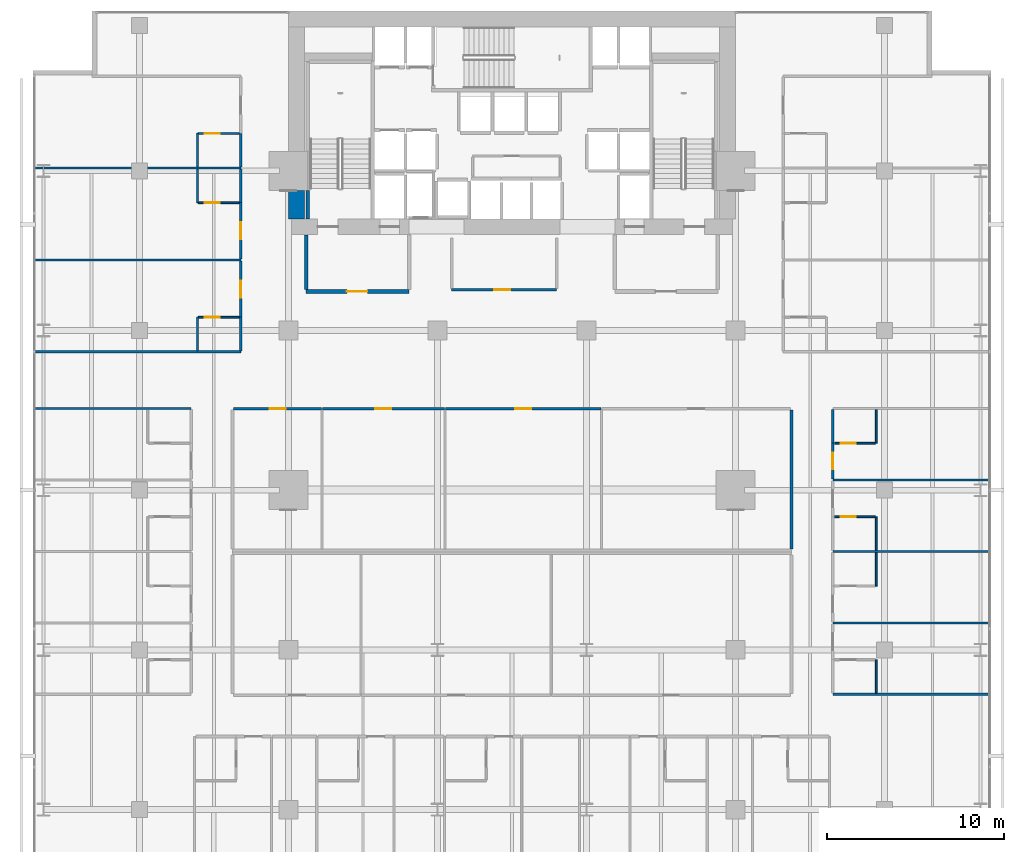
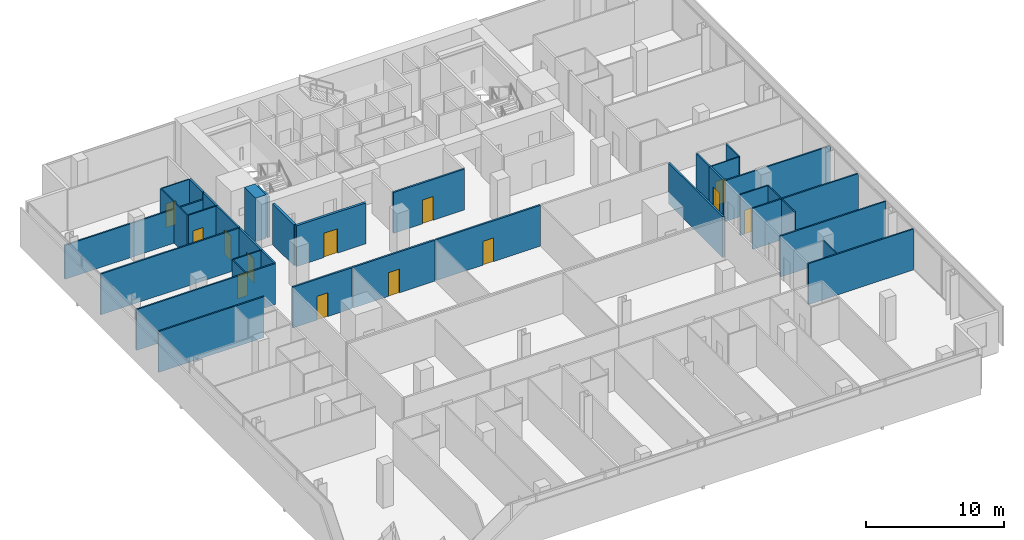
# One storey, part 35 of 40: 36 walls, 13 doors, 13 openings.
"""IFC4 building model written with IfcOpenShell, lengths in metres."""

from ifc_helpers import new_model, si_unit, direction, frame, frame_2d, origin, place, context, subcontext, project, spatial, rectangle, extrude, material, layer, layer_set, type_object, element, fill, save


model = new_model("IFC4")

# Units and contexts
model_context = context("Model", 3, precision=1e-05, world=origin(), true_north=direction((0.0, 1.0)))
body_context = subcontext(model_context, "Body", "Model", "MODEL_VIEW")
ifc_project = project(units=[si_unit("LENGTHUNIT", "METRE"), si_unit("AREAUNIT", "SQUARE_METRE"), si_unit("VOLUMEUNIT", "CUBIC_METRE"), si_unit("PLANEANGLEUNIT", "RADIAN"), si_unit("MASSUNIT", "GRAM", prefix="KILO")], contexts=[model_context])

# Site, building, storey
site_placement = place(None, origin())
site = spatial("IfcSite", under=ifc_project, at=site_placement, CompositionType="ELEMENT")
building_placement = place(site_placement, origin())
building = spatial("IfcBuilding", under=site, at=building_placement, Name="Maruvema Waterfront Hotel and Observation Tower", CompositionType="ELEMENT")
storey_placement = place(building_placement, frame((0.0, 0.0, 77.0)))
storey = spatial("IfcBuildingStorey", under=building, at=storey_placement, Name="L18", CompositionType="ELEMENT", Elevation=77.0)

# Wall, opening, door
ifc_material_1 = material(Name="Twin-stud acoustic gypsum drywall", Category="gypsum")
ifc_layer_1 = layer(ifc_material_1, 0.14990234375, Name="Acoustic Corridor and Suite Demising Wall 150 mm")
ifc_layer_set_1 = layer_set([ifc_layer_1], Name="Twin-stud acoustic gypsum drywall")
wall_type_1 = type_object("IfcWallType", Name="Acoustic Corridor and Suite Demising Wall 150 mm", PredefinedType="PARTITIONING", material=ifc_layer_set_1)
wall_1_placement = place(storey_placement, frame((34.39990234375, 38.300048828125, 0.0), z_axis=(0.0, 0.0, 1.0), x_axis=(1.0, 0.0, 0.0)))
wall_1 = element("IfcWall", 1, at=wall_1_placement, inside=storey, type_object=wall_type_1, Name="L18 Core Apron K0 South 013", PredefinedType="PARTITIONING", context=body_context, shape_type="SweptSolid", body=[
    extrude(rectangle(XDim=5.920166015625, YDim=0.14990234375, at=frame_2d((2.9599609375, 0.0))), origin(), (0.0, 0.0, 1.0), 3.610107421875),
])
opening_1_placement = place(wall_1_placement, frame((2.39990234375, 0.0, 0.0)))
opening_1 = element("IfcOpeningElement", 2, at=opening_1_placement, cuts=wall_1, Name="Opening DR-090", PredefinedType="OPENING", context=body_context, shape_type="SweptSolid", body=[
    extrude(rectangle(XDim=0.89990234375, YDim=2.10009765625, at=frame_2d((0.449951171875, 1.050048828125))), frame((0.0, 0.0849609375, 0.0), z_axis=(0.0, -1.0, 0.0), x_axis=(1.0, 0.0, 0.0)), (0.0, 0.0, 1.0), 0.169921875),
])
ifc_material_2 = material(Name="Solid-core lacquered timber leaf", Category="wood")
door_type_1 = type_object("IfcDoorType", Name="Accessible Toilet and Room Door 900x2100 mm", OperationType="NOTDEFINED", PredefinedType="DOOR", material=ifc_material_2)
door_1_placement = place(opening_1_placement, frame((0.89990234375, 0.0, 0.0), z_axis=(0.0, 0.0, 1.0), x_axis=(-1.0, 0.0, 0.0)))
door_1 = element("IfcDoor", 3, at=door_1_placement, inside=storey, type_object=door_type_1, Name="L18 Core Valet Room Door", OperationType="SINGLE_SWING_LEFT", OverallHeight=2.10009765625, OverallWidth=0.89990234375, PredefinedType="DOOR", context=body_context, shape_type="SweptSolid", body=[
    extrude(rectangle(XDim=0.89990234375, YDim=2.10009765625, at=frame_2d((0.449951171875, 1.050048828125))), frame((0.0, 0.02490234375, 0.0), z_axis=(0.0, -1.0, 0.0), x_axis=(1.0, 0.0, 0.0)), (0.0, 0.0, 1.0), 0.050048828125),
])
fill(opening_1, door_1)

# Wall
wall_2_placement = place(storey_placement, frame((53.550048828125, 23.679931640625, 0.0), z_axis=(0.0, 0.0, 1.0), x_axis=(0.0, 1.0, 0.0)))
element("IfcWall", 4, at=wall_2_placement, inside=storey, type_object=wall_type_1, Name="L18 L18-INTN East Wall 018", PredefinedType="PARTITIONING", context=body_context, shape_type="SweptSolid", body=[
    extrude(rectangle(XDim=7.840087890625, YDim=0.14990234375, at=frame_2d((3.919921875, 0.0))), origin(), (0.0, 0.0, 1.0), 3.610107421875),
])

# Wall, opening, door
wall_3_placement = place(storey_placement, frame((22.110107421875, 31.60009765625, 0.0), z_axis=(0.0, 0.0, 1.0), x_axis=(1.0, 0.0, 0.0)))
wall_3 = element("IfcWall", 5, at=wall_3_placement, inside=storey, type_object=wall_type_1, Name="L18 L18-INTN Front 1 019", PredefinedType="PARTITIONING", context=body_context, shape_type="SweptSolid", body=[
    extrude(rectangle(XDim=4.949951171875, YDim=0.14990234375, at=frame_2d((2.47509765625, 0.0))), origin(), (0.0, 0.0, 1.0), 3.610107421875),
])
opening_2_placement = place(wall_3_placement, frame((2.02490234375, 0.0, 0.0)))
opening_2 = element("IfcOpeningElement", 6, at=opening_2_placement, cuts=wall_3, Name="Opening DR-090", PredefinedType="OPENING", context=body_context, shape_type="SweptSolid", body=[
    extrude(rectangle(XDim=0.89990234375, YDim=2.10009765625, at=frame_2d((0.449951171875, 1.050048828125))), frame((0.0, 0.0849609375, 0.0), z_axis=(0.0, -1.0, 0.0), x_axis=(1.0, 0.0, 0.0)), (0.0, 0.0, 1.0), 0.169921875),
])
door_2_placement = place(opening_2_placement, origin())
door_2 = element("IfcDoor", 7, at=door_2_placement, inside=storey, type_object=door_type_1, Name="L18 Coworking Office Door", OperationType="SINGLE_SWING_RIGHT", OverallHeight=2.10009765625, OverallWidth=0.89990234375, PredefinedType="DOOR", context=body_context, shape_type="SweptSolid", body=[
    extrude(rectangle(XDim=0.89990234375, YDim=2.10009765625, at=frame_2d((0.449951171875, 1.050048828125))), frame((0.0, 0.02490234375, 0.0), z_axis=(0.0, -1.0, 0.0), x_axis=(1.0, 0.0, 0.0)), (0.0, 0.0, 1.0), 0.050048828125),
])
fill(opening_2, door_2)

wall_4_placement = place(storey_placement, frame((27.1201171875, 31.60009765625, 0.0), z_axis=(0.0, 0.0, 1.0), x_axis=(1.0, 0.0, 0.0)))
wall_4 = element("IfcWall", 8, at=wall_4_placement, inside=storey, type_object=wall_type_1, Name="L18 L18-INTN Front 2 021", PredefinedType="PARTITIONING", context=body_context, shape_type="SweptSolid", body=[
    extrude(rectangle(XDim=6.869873046875, YDim=0.14990234375, at=frame_2d((3.43505859375, 0.0))), origin(), (0.0, 0.0, 1.0), 3.610107421875),
])
opening_3_placement = place(wall_4_placement, frame((2.985107421875, 0.0, 0.0)))
opening_3 = element("IfcOpeningElement", 9, at=opening_3_placement, cuts=wall_4, Name="Opening DR-090", PredefinedType="OPENING", context=body_context, shape_type="SweptSolid", body=[
    extrude(rectangle(XDim=0.89990234375, YDim=2.10009765625, at=frame_2d((0.449951171875, 1.050048828125))), frame((0.0, 0.0849609375, 0.0), z_axis=(0.0, -1.0, 0.0), x_axis=(1.0, 0.0, 0.0)), (0.0, 0.0, 1.0), 0.169921875),
])
door_3_placement = place(opening_3_placement, origin())
door_3 = element("IfcDoor", 10, at=door_3_placement, inside=storey, type_object=door_type_1, Name="L18 Meeting Room 1 Door", OperationType="SINGLE_SWING_LEFT", OverallHeight=2.10009765625, OverallWidth=0.89990234375, PredefinedType="DOOR", context=body_context, shape_type="SweptSolid", body=[
    extrude(rectangle(XDim=0.89990234375, YDim=2.10009765625, at=frame_2d((0.449951171875, 1.050048828125))), frame((0.0, 0.02490234375, 0.0), z_axis=(0.0, -1.0, 0.0), x_axis=(1.0, 0.0, 0.0)), (0.0, 0.0, 1.0), 0.050048828125),
])
fill(opening_3, door_3)

wall_5_placement = place(storey_placement, frame((34.050048828125, 31.60009765625, 0.0), z_axis=(0.0, 0.0, 1.0), x_axis=(1.0, 0.0, 0.0)))
wall_5 = element("IfcWall", 11, at=wall_5_placement, inside=storey, type_object=wall_type_1, Name="L18 L18-INTN Front 3 023", PredefinedType="PARTITIONING", context=body_context, shape_type="SweptSolid", body=[
    extrude(rectangle(XDim=8.760009765625, YDim=0.14990234375, at=frame_2d((4.3798828125, 0.0))), origin(), (0.0, 0.0, 1.0), 3.610107421875),
])
opening_4_placement = place(wall_5_placement, frame((3.929931640625, 0.0, 0.0)))
opening_4 = element("IfcOpeningElement", 12, at=opening_4_placement, cuts=wall_5, Name="Opening DR-090", PredefinedType="OPENING", context=body_context, shape_type="SweptSolid", body=[
    extrude(rectangle(XDim=0.89990234375, YDim=2.10009765625, at=frame_2d((0.449951171875, 1.050048828125))), frame((0.0, 0.0849609375, 0.0), z_axis=(0.0, -1.0, 0.0), x_axis=(1.0, 0.0, 0.0)), (0.0, 0.0, 1.0), 0.169921875),
])
door_4_placement = place(opening_4_placement, origin())
door_4 = element("IfcDoor", 13, at=door_4_placement, inside=storey, type_object=door_type_1, Name="L18 Meeting Room 2 Door", OperationType="SINGLE_SWING_RIGHT", OverallHeight=2.10009765625, OverallWidth=0.89990234375, PredefinedType="DOOR", context=body_context, shape_type="SweptSolid", body=[
    extrude(rectangle(XDim=0.89990234375, YDim=2.10009765625, at=frame_2d((0.449951171875, 1.050048828125))), frame((0.0, 0.02490234375, 0.0), z_axis=(0.0, -1.0, 0.0), x_axis=(1.0, 0.0, 0.0)), (0.0, 0.0, 1.0), 0.050048828125),
])
fill(opening_4, door_4)

wall_6_placement = place(storey_placement, frame((55.8798828125, 27.639892578125, 0.0), z_axis=(0.0, 0.0, 1.0), x_axis=(0.0, 1.0, 0.0)))
wall_6 = element("IfcWall", 14, at=wall_6_placement, inside=storey, type_object=wall_type_1, Name="L18 Room L18-E4 Corridor Wall 108", PredefinedType="PARTITIONING", context=body_context, shape_type="SweptSolid", body=[
    extrude(rectangle(XDim=2.010009765625, YDim=0.14990234375, at=frame_2d((1.0048828125, 0.0))), origin(), (0.0, 0.0, 1.0), 3.610107421875),
])
opening_5_placement = place(wall_6_placement, frame((0.530029296875, 0.0, 0.0)))
opening_5 = element("IfcOpeningElement", 15, at=opening_5_placement, cuts=wall_6, Name="Opening DR-095", PredefinedType="OPENING", context=body_context, shape_type="SweptSolid", body=[
    extrude(rectangle(XDim=0.949951171875, YDim=2.14990234375, at=frame_2d((0.47509765625, 1.074951171875))), frame((0.0, 0.0849609375, 0.0), z_axis=(0.0, -1.0, 0.0), x_axis=(1.0, 0.0, 0.0)), (0.0, 0.0, 1.0), 0.169921875),
])
ifc_material_3 = material(Name="Acoustic solid-core hardwood timber leaf", Category="wood")
door_type_2 = type_object("IfcDoorType", Name="Guestroom Entrance Fire Door 950x2150 mm", OperationType="NOTDEFINED", PredefinedType="DOOR", material=ifc_material_3)
door_5_placement = place(opening_5_placement, frame((0.949951171875, 0.0, 0.0), z_axis=(0.0, 0.0, 1.0), x_axis=(-1.0, 0.0, 0.0)))
door_5 = element("IfcDoor", 16, at=door_5_placement, inside=storey, type_object=door_type_2, Name="L18 Room L18-E4 Entrance Door", OperationType="SINGLE_SWING_LEFT", OverallHeight=2.14990234375, OverallWidth=0.949951171875, PredefinedType="DOOR", context=body_context, shape_type="SweptSolid", body=[
    extrude(rectangle(XDim=0.949951171875, YDim=2.14990234375, at=frame_2d((0.47509765625, 1.074951171875))), frame((0.0, 0.02490234375, 0.0), z_axis=(0.0, -1.0, 0.0), x_axis=(1.0, 0.0, 0.0)), (0.0, 0.0, 1.0), 0.050048828125),
])
fill(opening_5, door_5)

# Walls
wall_7_placement = place(storey_placement, frame((55.8798828125, 29.64990234375, 0.0), z_axis=(0.0, 0.0, 1.0), x_axis=(0.0, 1.0, 0.0)))
element("IfcWall", 17, at=wall_7_placement, inside=storey, type_object=wall_type_1, Name="L18 Bath L18-E4 Wall 109", PredefinedType="PARTITIONING", context=body_context, shape_type="SweptSolid", body=[
    extrude(rectangle(XDim=1.89013671875, YDim=0.14990234375, at=frame_2d((0.945068359375, 0.0))), origin(), (0.0, 0.0, 1.0), 3.610107421875),
])
wall_8_placement = place(storey_placement, frame((22.52001953125, 34.860107421875, 0.0), z_axis=(0.0, 0.0, 1.0), x_axis=(0.0, 1.0, 0.0)))
element("IfcWall", 18, at=wall_8_placement, inside=storey, type_object=wall_type_1, Name="L18 Bath L18-NW1 Wall 116", PredefinedType="PARTITIONING", context=body_context, shape_type="SweptSolid", body=[
    extrude(rectangle(XDim=1.889892578125, YDim=0.14990234375, at=frame_2d((0.94482421875, 0.0))), origin(), (0.0, 0.0, 1.0), 3.610107421875),
])

# Wall, opening, door
wall_9_placement = place(storey_placement, frame((22.52001953125, 36.75, 0.0), z_axis=(0.0, 0.0, 1.0), x_axis=(0.0, 1.0, 0.0)))
wall_9 = element("IfcWall", 19, at=wall_9_placement, inside=storey, type_object=wall_type_1, Name="L18 Room L18-NW1 Corridor Wall 117", PredefinedType="PARTITIONING", context=body_context, shape_type="SweptSolid", body=[
    extrude(rectangle(XDim=3.169189453125, YDim=0.14990234375, at=frame_2d((1.58447265625, 0.0))), origin(), (0.0, 0.0, 1.0), 3.610107421875),
])
opening_6_placement = place(wall_9_placement, frame((1.109619140625, 0.0, 0.0)))
opening_6 = element("IfcOpeningElement", 20, at=opening_6_placement, cuts=wall_9, Name="Opening DR-095", PredefinedType="OPENING", context=body_context, shape_type="SweptSolid", body=[
    extrude(rectangle(XDim=0.949951171875, YDim=2.14990234375, at=frame_2d((0.47509765625, 1.074951171875))), frame((0.0, 0.0849609375, 0.0), z_axis=(0.0, -1.0, 0.0), x_axis=(1.0, 0.0, 0.0)), (0.0, 0.0, 1.0), 0.169921875),
])
door_6_placement = place(opening_6_placement, origin())
door_6 = element("IfcDoor", 21, at=door_6_placement, inside=storey, type_object=door_type_2, Name="L18 Room L18-NW1 Entrance Door", OperationType="SINGLE_SWING_LEFT", OverallHeight=2.14990234375, OverallWidth=0.949951171875, PredefinedType="DOOR", context=body_context, shape_type="SweptSolid", body=[
    extrude(rectangle(XDim=0.949951171875, YDim=2.14990234375, at=frame_2d((0.47509765625, 1.074951171875))), frame((0.0, 0.02490234375, 0.0), z_axis=(0.0, -1.0, 0.0), x_axis=(1.0, 0.0, 0.0)), (0.0, 0.0, 1.0), 0.050048828125),
])
fill(opening_6, door_6)

wall_10_placement = place(storey_placement, frame((22.52001953125, 40.039306640625, 0.0), z_axis=(0.0, 0.0, 1.0), x_axis=(0.0, 1.0, 0.0)))
wall_10 = element("IfcWall", 22, at=wall_10_placement, inside=storey, type_object=wall_type_1, Name="L18 Room L18-NW2 Corridor Wall 126", PredefinedType="PARTITIONING", context=body_context, shape_type="SweptSolid", body=[
    extrude(rectangle(XDim=3.1689453125, YDim=0.14990234375, at=frame_2d((1.58447265625, 0.0))), origin(), (0.0, 0.0, 1.0), 3.610107421875),
])
opening_7_placement = place(wall_10_placement, frame((1.109619140625, 0.0, 0.0)))
opening_7 = element("IfcOpeningElement", 23, at=opening_7_placement, cuts=wall_10, Name="Opening DR-095", PredefinedType="OPENING", context=body_context, shape_type="SweptSolid", body=[
    extrude(rectangle(XDim=0.949951171875, YDim=2.14990234375, at=frame_2d((0.47509765625, 1.074951171875))), frame((0.0, 0.0849609375, 0.0), z_axis=(0.0, -1.0, 0.0), x_axis=(1.0, 0.0, 0.0)), (0.0, 0.0, 1.0), 0.169921875),
])
door_7_placement = place(opening_7_placement, origin())
door_7 = element("IfcDoor", 24, at=door_7_placement, inside=storey, type_object=door_type_2, Name="L18 Room L18-NW2 Entrance Door", OperationType="SINGLE_SWING_LEFT", OverallHeight=2.14990234375, OverallWidth=0.949951171875, PredefinedType="DOOR", context=body_context, shape_type="SweptSolid", body=[
    extrude(rectangle(XDim=0.949951171875, YDim=2.14990234375, at=frame_2d((0.47509765625, 1.074951171875))), frame((0.0, 0.02490234375, 0.0), z_axis=(0.0, -1.0, 0.0), x_axis=(1.0, 0.0, 0.0)), (0.0, 0.0, 1.0), 0.050048828125),
])
fill(opening_7, door_7)

# Walls
for number, where, z_axis, x_axis, name in (
    (25, (22.52001953125, 43.208251953125, 0.0), (0.0, 0.0, 1.0), (0.0, 1.0, 0.0), "L18 Bath L18-NW2 Wall 127"),
    (26, (22.52001953125, 45.21826171875, 0.0), (0.0, 0.0, 1.0), (0.0, 1.0, 0.0), "L18 Bath L18-NW3 Wall 136"),
):
    element("IfcWall", number, at=place(storey_placement, frame(where, z_axis=z_axis, x_axis=x_axis)), inside=storey, type_object=wall_type_1, Name=name, PredefinedType="PARTITIONING", context=body_context, shape_type="SweptSolid", body=[
        extrude(rectangle(XDim=1.89013671875, YDim=0.14990234375, at=frame_2d((0.945068359375, 0.0))), origin(), (0.0, 0.0, 1.0), 3.610107421875),
    ])
ifc_material_4 = material(Name="Precast concrete C45/55", Category="concrete")
ifc_layer_2 = layer(ifc_material_4, 0.199951171875, Name="Core Shaft and Stairwell Enclosure Wall 200 mm")
ifc_layer_set_2 = layer_set([ifc_layer_2], Name="Precast concrete C45/55")
wall_type_2 = type_object("IfcWallType", Name="Core Shaft and Stairwell Enclosure Wall 200 mm", PredefinedType="SOLIDWALL", material=ifc_layer_set_2)
wall_11_placement = place(storey_placement, frame((26.300048828125, 42.300048828125, 0.0), z_axis=(0.0, 0.0, 1.0), x_axis=(0.0, 1.0, 0.0)))
element("IfcWall", 27, at=wall_11_placement, inside=storey, type_object=wall_type_2, Name="L18 Stairwell ST-01 Shaft Lining Wall", PredefinedType="SOLIDWALL", context=body_context, shape_type="SweptSolid", body=[
    extrude(rectangle(XDim=1.579833984375, YDim=0.199951171875, at=frame_2d((0.7900390625, 0.0))), origin(), (0.0, 0.0, 1.0), 3.610107421875),
])
ifc_material_5 = material(Name="Concrete C80/95", Category="concrete")
ifc_layer_3 = layer(ifc_material_5, 0.89990234375, Name="Core Shear Wall 900 mm")
ifc_layer_set_3 = layer_set([ifc_layer_3], Name="Concrete C80/95")
wall_type_3 = type_object("IfcWallType", Name="Core Shear Wall 900 mm", PredefinedType="SHEAR", material=ifc_layer_set_3)
wall_12_placement = place(storey_placement, frame((25.64990234375, 42.300048828125, 0.0), z_axis=(0.0, 0.0, 1.0), x_axis=(0.0, 1.0, 0.0)))
element("IfcWall", 28, at=wall_12_placement, inside=storey, type_object=wall_type_3, Name="L18 West-South Core Shear Wall", PredefinedType="SHEAR", context=body_context, shape_type="SweptSolid", body=[
    extrude(rectangle(XDim=1.599853515625, YDim=0.89990234375, at=frame_2d((0.7998046875, 0.0))), origin(), (0.0, 0.0, 1.0), 3.85009765625),
])
ifc_material_6 = material(Name="Moisture-resistant cement-board drywall", Category="gypsum")
ifc_layer_4 = layer(ifc_material_6, 0.10009765625, Name="En-Suite Moisture-Resistant Partition 100 mm")
ifc_layer_set_4 = layer_set([ifc_layer_4], Name="Moisture-resistant cement-board drywall")
wall_type_4 = type_object("IfcWallType", Name="En-Suite Moisture-Resistant Partition 100 mm", PredefinedType="PARTITIONING", material=ifc_layer_set_4)
for number, where, z_axis, x_axis, name in (
    (29, (58.330078125, 15.56005859375, 0.0), (0.0, 0.0, 1.0), (0.0, 1.0, 0.0), "L18 En-Suite L18-E1 E 080"),
    (30, (58.330078125, 21.60009765625, 0.0), (0.0, 0.0, 1.0), (0.0, 1.0, 0.0), "L18 En-Suite L18-E2 E 090"),
    (31, (58.330078125, 23.610107421875, 0.0), (0.0, 0.0, 1.0), (0.0, 1.0, 0.0), "L18 En-Suite L18-E3 E 100"),
):
    element("IfcWall", number, at=place(storey_placement, frame(where, z_axis=z_axis, x_axis=x_axis)), inside=storey, type_object=wall_type_4, Name=name, PredefinedType="PARTITIONING", context=body_context, shape_type="SweptSolid", body=[
        extrude(rectangle(XDim=1.889892578125, YDim=0.10009765625, at=frame_2d((0.94482421875, 0.0))), origin(), (0.0, 0.0, 1.0), 3.610107421875),
    ])

# Wall, opening, door
wall_13_placement = place(storey_placement, frame((55.97998046875, 25.5, 0.0), z_axis=(0.0, 0.0, 1.0), x_axis=(1.0, 0.0, 0.0)))
wall_13 = element("IfcWall", 32, at=wall_13_placement, inside=storey, type_object=wall_type_4, Name="L18 En-Suite L18-E3 N 101", PredefinedType="PARTITIONING", context=body_context, shape_type="SweptSolid", body=[
    extrude(rectangle(XDim=2.300048828125, YDim=0.10009765625, at=frame_2d((1.14990234375, 0.0))), origin(), (0.0, 0.0, 1.0), 3.610107421875),
])
opening_8_placement = place(wall_13_placement, frame((0.35009765625, 0.0, 0.0)))
opening_8 = element("IfcOpeningElement", 33, at=opening_8_placement, cuts=wall_13, Name="Opening DR-085", PredefinedType="OPENING", context=body_context, shape_type="SweptSolid", body=[
    extrude(rectangle(XDim=0.85009765625, YDim=2.10009765625, at=frame_2d((0.425048828125, 1.050048828125))), frame((0.0, 0.06005859375, 0.0), z_axis=(0.0, -1.0, 0.0), x_axis=(1.0, 0.0, 0.0)), (0.0, 0.0, 1.0), 0.1201171875),
])
ifc_material_7 = material(Name="Moisture-resistant solid timber leaf", Category="wood")
door_type_3 = type_object("IfcDoorType", Name="En-Suite Bathroom Door 850x2100 mm", OperationType="NOTDEFINED", PredefinedType="DOOR", material=ifc_material_7)
door_8_placement = place(opening_8_placement, origin())
door_8 = element("IfcDoor", 34, at=door_8_placement, inside=storey, type_object=door_type_3, Name="L18 En-Suite L18-E3 Door", OperationType="SINGLE_SWING_RIGHT", OverallHeight=2.10009765625, OverallWidth=0.85009765625, PredefinedType="DOOR", context=body_context, shape_type="SweptSolid", body=[
    extrude(rectangle(XDim=0.85009765625, YDim=2.10009765625, at=frame_2d((0.425048828125, 1.050048828125))), frame((0.0, 0.02490234375, 0.0), z_axis=(0.0, -1.0, 0.0), x_axis=(1.0, 0.0, 0.0)), (0.0, 0.0, 1.0), 0.050048828125),
])
fill(opening_8, door_8)

# Wall
wall_14_placement = place(storey_placement, frame((58.330078125, 29.64990234375, 0.0), z_axis=(0.0, 0.0, 1.0), x_axis=(0.0, 1.0, 0.0)))
element("IfcWall", 35, at=wall_14_placement, inside=storey, type_object=wall_type_4, Name="L18 En-Suite L18-E4 E 110", PredefinedType="PARTITIONING", context=body_context, shape_type="SweptSolid", body=[
    extrude(rectangle(XDim=1.89013671875, YDim=0.10009765625, at=frame_2d((0.945068359375, 0.0))), origin(), (0.0, 0.0, 1.0), 3.610107421875),
])

# Wall, opening, door
wall_15_placement = place(storey_placement, frame((55.97998046875, 29.64990234375, 0.0), z_axis=(0.0, 0.0, 1.0), x_axis=(1.0, 0.0, 0.0)))
wall_15 = element("IfcWall", 36, at=wall_15_placement, inside=storey, type_object=wall_type_4, Name="L18 En-Suite L18-E4 S 111", PredefinedType="PARTITIONING", context=body_context, shape_type="SweptSolid", body=[
    extrude(rectangle(XDim=2.300048828125, YDim=0.10009765625, at=frame_2d((1.14990234375, 0.0))), origin(), (0.0, 0.0, 1.0), 3.610107421875),
])
opening_9_placement = place(wall_15_placement, frame((0.35009765625, 0.0, 0.0)))
opening_9 = element("IfcOpeningElement", 37, at=opening_9_placement, cuts=wall_15, Name="Opening DR-085", PredefinedType="OPENING", context=body_context, shape_type="SweptSolid", body=[
    extrude(rectangle(XDim=0.85009765625, YDim=2.10009765625, at=frame_2d((0.425048828125, 1.050048828125))), frame((0.0, 0.06005859375, 0.0), z_axis=(0.0, -1.0, 0.0), x_axis=(1.0, 0.0, 0.0)), (0.0, 0.0, 1.0), 0.1201171875),
])
door_9_placement = place(opening_9_placement, frame((0.85009765625, 0.0, 0.0), z_axis=(0.0, 0.0, 1.0), x_axis=(-1.0, 0.0, 0.0)))
door_9 = element("IfcDoor", 38, at=door_9_placement, inside=storey, type_object=door_type_3, Name="L18 En-Suite L18-E4 Door", OperationType="SINGLE_SWING_RIGHT", OverallHeight=2.10009765625, OverallWidth=0.85009765625, PredefinedType="DOOR", context=body_context, shape_type="SweptSolid", body=[
    extrude(rectangle(XDim=0.85009765625, YDim=2.10009765625, at=frame_2d((0.425048828125, 1.050048828125))), frame((0.0, 0.02490234375, 0.0), z_axis=(0.0, -1.0, 0.0), x_axis=(1.0, 0.0, 0.0)), (0.0, 0.0, 1.0), 0.050048828125),
])
fill(opening_9, door_9)

# Wall
wall_16_placement = place(storey_placement, frame((20.070068359375, 34.860107421875, 0.0), z_axis=(0.0, 0.0, 1.0), x_axis=(0.0, 1.0, 0.0)))
element("IfcWall", 39, at=wall_16_placement, inside=storey, type_object=wall_type_4, Name="L18 En-Suite L18-NW1 W 118", PredefinedType="PARTITIONING", context=body_context, shape_type="SweptSolid", body=[
    extrude(rectangle(XDim=1.889892578125, YDim=0.10009765625, at=frame_2d((0.94482421875, 0.0))), origin(), (0.0, 0.0, 1.0), 3.610107421875),
])

# Wall, opening, door
wall_17_placement = place(storey_placement, frame((20.1201171875, 36.75, 0.0), z_axis=(0.0, 0.0, 1.0), x_axis=(1.0, 0.0, 0.0)))
wall_17 = element("IfcWall", 40, at=wall_17_placement, inside=storey, type_object=wall_type_4, Name="L18 En-Suite L18-NW1 N 119", PredefinedType="PARTITIONING", context=body_context, shape_type="SweptSolid", body=[
    extrude(rectangle(XDim=2.2998046875, YDim=0.10009765625, at=frame_2d((1.14990234375, 0.0))), origin(), (0.0, 0.0, 1.0), 3.610107421875),
])
opening_10_placement = place(wall_17_placement, frame((0.35009765625, 0.0, 0.0)))
opening_10 = element("IfcOpeningElement", 41, at=opening_10_placement, cuts=wall_17, Name="Opening DR-085", PredefinedType="OPENING", context=body_context, shape_type="SweptSolid", body=[
    extrude(rectangle(XDim=0.85009765625, YDim=2.10009765625, at=frame_2d((0.425048828125, 1.050048828125))), frame((0.0, 0.06005859375, 0.0), z_axis=(0.0, -1.0, 0.0), x_axis=(1.0, 0.0, 0.0)), (0.0, 0.0, 1.0), 0.1201171875),
])
door_10_placement = place(opening_10_placement, origin())
door_10 = element("IfcDoor", 42, at=door_10_placement, inside=storey, type_object=door_type_3, Name="L18 En-Suite L18-NW1 Door", OperationType="SINGLE_SWING_RIGHT", OverallHeight=2.10009765625, OverallWidth=0.85009765625, PredefinedType="DOOR", context=body_context, shape_type="SweptSolid", body=[
    extrude(rectangle(XDim=0.85009765625, YDim=2.10009765625, at=frame_2d((0.425048828125, 1.050048828125))), frame((0.0, 0.02490234375, 0.0), z_axis=(0.0, -1.0, 0.0), x_axis=(1.0, 0.0, 0.0)), (0.0, 0.0, 1.0), 0.050048828125),
])
fill(opening_10, door_10)

# Wall
wall_18_placement = place(storey_placement, frame((20.070068359375, 43.208251953125, 0.0), z_axis=(0.0, 0.0, 1.0), x_axis=(0.0, 1.0, 0.0)))
element("IfcWall", 43, at=wall_18_placement, inside=storey, type_object=wall_type_4, Name="L18 En-Suite L18-NW2 W 128", PredefinedType="PARTITIONING", context=body_context, shape_type="SweptSolid", body=[
    extrude(rectangle(XDim=1.89013671875, YDim=0.10009765625, at=frame_2d((0.945068359375, 0.0))), origin(), (0.0, 0.0, 1.0), 3.610107421875),
])

# Wall, opening, door
wall_19_placement = place(storey_placement, frame((20.1201171875, 43.208251953125, 0.0), z_axis=(0.0, 0.0, 1.0), x_axis=(1.0, 0.0, 0.0)))
wall_19 = element("IfcWall", 44, at=wall_19_placement, inside=storey, type_object=wall_type_4, Name="L18 En-Suite L18-NW2 S 129", PredefinedType="PARTITIONING", context=body_context, shape_type="SweptSolid", body=[
    extrude(rectangle(XDim=2.2998046875, YDim=0.10009765625, at=frame_2d((1.14990234375, 0.0))), origin(), (0.0, 0.0, 1.0), 3.610107421875),
])
opening_11_placement = place(wall_19_placement, frame((0.35009765625, 0.0, 0.0)))
opening_11 = element("IfcOpeningElement", 45, at=opening_11_placement, cuts=wall_19, Name="Opening DR-085", PredefinedType="OPENING", context=body_context, shape_type="SweptSolid", body=[
    extrude(rectangle(XDim=0.85009765625, YDim=2.10009765625, at=frame_2d((0.425048828125, 1.050048828125))), frame((0.0, 0.06005859375, 0.0), z_axis=(0.0, -1.0, 0.0), x_axis=(1.0, 0.0, 0.0)), (0.0, 0.0, 1.0), 0.1201171875),
])
door_11_placement = place(opening_11_placement, frame((0.85009765625, 0.0, 0.0), z_axis=(0.0, 0.0, 1.0), x_axis=(-1.0, 0.0, 0.0)))
door_11 = element("IfcDoor", 46, at=door_11_placement, inside=storey, type_object=door_type_3, Name="L18 En-Suite L18-NW2 Door", OperationType="SINGLE_SWING_RIGHT", OverallHeight=2.10009765625, OverallWidth=0.85009765625, PredefinedType="DOOR", context=body_context, shape_type="SweptSolid", body=[
    extrude(rectangle(XDim=0.85009765625, YDim=2.10009765625, at=frame_2d((0.425048828125, 1.050048828125))), frame((0.0, 0.02490234375, 0.0), z_axis=(0.0, -1.0, 0.0), x_axis=(1.0, 0.0, 0.0)), (0.0, 0.0, 1.0), 0.050048828125),
])
fill(opening_11, door_11)

# Wall
wall_20_placement = place(storey_placement, frame((20.070068359375, 45.21826171875, 0.0), z_axis=(0.0, 0.0, 1.0), x_axis=(0.0, 1.0, 0.0)))
element("IfcWall", 47, at=wall_20_placement, inside=storey, type_object=wall_type_4, Name="L18 En-Suite L18-NW3 W 138", PredefinedType="PARTITIONING", context=body_context, shape_type="SweptSolid", body=[
    extrude(rectangle(XDim=1.89013671875, YDim=0.10009765625, at=frame_2d((0.945068359375, 0.0))), origin(), (0.0, 0.0, 1.0), 3.610107421875),
])

# Wall, opening, door
wall_21_placement = place(storey_placement, frame((20.1201171875, 47.1083984375, 0.0), z_axis=(0.0, 0.0, 1.0), x_axis=(1.0, 0.0, 0.0)))
wall_21 = element("IfcWall", 48, at=wall_21_placement, inside=storey, type_object=wall_type_4, Name="L18 En-Suite L18-NW3 N 139", PredefinedType="PARTITIONING", context=body_context, shape_type="SweptSolid", body=[
    extrude(rectangle(XDim=2.2998046875, YDim=0.10009765625, at=frame_2d((1.14990234375, 0.0))), origin(), (0.0, 0.0, 1.0), 3.610107421875),
])
opening_12_placement = place(wall_21_placement, frame((0.35009765625, 0.0, 0.0)))
opening_12 = element("IfcOpeningElement", 49, at=opening_12_placement, cuts=wall_21, Name="Opening DR-085", PredefinedType="OPENING", context=body_context, shape_type="SweptSolid", body=[
    extrude(rectangle(XDim=0.85009765625, YDim=2.10009765625, at=frame_2d((0.425048828125, 1.050048828125))), frame((0.0, 0.06005859375, 0.0), z_axis=(0.0, -1.0, 0.0), x_axis=(1.0, 0.0, 0.0)), (0.0, 0.0, 1.0), 0.1201171875),
])
door_12_placement = place(opening_12_placement, origin())
door_12 = element("IfcDoor", 50, at=door_12_placement, inside=storey, type_object=door_type_3, Name="L18 En-Suite L18-NW3 Door", OperationType="SINGLE_SWING_RIGHT", OverallHeight=2.10009765625, OverallWidth=0.85009765625, PredefinedType="DOOR", context=body_context, shape_type="SweptSolid", body=[
    extrude(rectangle(XDim=0.85009765625, YDim=2.10009765625, at=frame_2d((0.425048828125, 1.050048828125))), frame((0.0, 0.02490234375, 0.0), z_axis=(0.0, -1.0, 0.0), x_axis=(1.0, 0.0, 0.0)), (0.0, 0.0, 1.0), 0.050048828125),
])
fill(opening_12, door_12)

ifc_material_8 = material(Name="Autoclaved cellular concrete blockwork", Category="masonry")
ifc_layer_5 = layer(ifc_material_8, 0.199951171875, Name="Fire Compartment Masonry Wall 200 mm")
ifc_layer_set_5 = layer_set([ifc_layer_5], Name="Autoclaved cellular concrete blockwork")
wall_type_5 = type_object("IfcWallType", Name="Fire Compartment Masonry Wall 200 mm", PredefinedType="PARTITIONING", material=ifc_layer_set_5)
wall_22_placement = place(storey_placement, frame((26.199951171875, 38.199951171875, 0.0), z_axis=(0.0, 0.0, 1.0), x_axis=(1.0, 0.0, 0.0)))
wall_22 = element("IfcWall", 51, at=wall_22_placement, inside=storey, type_object=wall_type_5, Name="L18 FFL West South Wall 001", PredefinedType="PARTITIONING", context=body_context, shape_type="SweptSolid", body=[
    extrude(rectangle(XDim=5.800048828125, YDim=0.199951171875, at=frame_2d((2.89990234375, 0.0))), origin(), (0.0, 0.0, 1.0), 3.610107421875),
])
opening_13_placement = place(wall_22_placement, frame((2.300048828125, 0.0, 0.0)))
opening_13 = element("IfcOpeningElement", 52, at=opening_13_placement, cuts=wall_22, Name="Opening FD-115", PredefinedType="OPENING", context=body_context, shape_type="SweptSolid", body=[
    extrude(rectangle(XDim=1.14990234375, YDim=2.14990234375, at=frame_2d((0.574951171875, 1.074951171875))), frame((0.0, 0.10986328125, 0.0), z_axis=(0.0, -1.0, 0.0), x_axis=(1.0, 0.0, 0.0)), (0.0, 0.0, 1.0), 0.219970703125),
])
ifc_material_9 = material(Name="Fire-rated galvanised steel and vision glass", Category="steel")
door_type_4 = type_object("IfcDoorType", Name="Firefighting Lobby Fire Door 1150x2150 mm", OperationType="NOTDEFINED", PredefinedType="DOOR", material=ifc_material_9)
door_13_placement = place(opening_13_placement, frame((1.14990234375, 0.0, 0.0), z_axis=(0.0, 0.0, 1.0), x_axis=(-1.0, 0.0, 0.0)))
door_13 = element("IfcDoor", 53, at=door_13_placement, inside=storey, type_object=door_type_4, Name="L18 Firefighting Lobby West Door", OperationType="SINGLE_SWING_LEFT", OverallHeight=2.14990234375, OverallWidth=1.14990234375, PredefinedType="DOOR", context=body_context, shape_type="SweptSolid", body=[
    extrude(rectangle(XDim=1.14990234375, YDim=2.14990234375, at=frame_2d((0.574951171875, 1.074951171875))), frame((0.0, 0.02490234375, 0.0), z_axis=(0.0, -1.0, 0.0), x_axis=(1.0, 0.0, 0.0)), (0.0, 0.0, 1.0), 0.050048828125),
])
fill(opening_13, door_13)

# Walls
wall_23_placement = place(storey_placement, frame((26.199951171875, 38.31005859375, 0.0), z_axis=(0.0, 0.0, 1.0), x_axis=(0.0, 1.0, 0.0)))
element("IfcWall", 54, at=wall_23_placement, inside=storey, type_object=wall_type_5, Name="L18 FFL West West Wall 002", PredefinedType="PARTITIONING", context=body_context, shape_type="SweptSolid", body=[
    extrude(rectangle(XDim=3.06982421875, YDim=0.199951171875, at=frame_2d((1.534912109375, 0.0))), origin(), (0.0, 0.0, 1.0), 3.610107421875),
])
ifc_material_10 = material(Name="Acoustic gypsum plasterboard drywall", Category="gypsum")
ifc_layer_6 = layer(ifc_material_10, 0.125, Name="Guestroom Acoustic Demising Wall 125 mm")
ifc_layer_set_6 = layer_set([ifc_layer_6], Name="Acoustic gypsum plasterboard drywall")
wall_type_6 = type_object("IfcWallType", Name="Guestroom Acoustic Demising Wall 125 mm", PredefinedType="PARTITIONING", material=ifc_layer_set_6)
for number, where, z_axis, x_axis, name in (
    (55, (55.8798828125, 15.5, 0.0), (0.0, 0.0, 1.0), (1.0, 0.0, 0.0), "L18 E Bot End 071"),
    (56, (10.89990234375, 31.60009765625, 0.0), (0.0, 0.0, 1.0), (1.0, 0.0, 0.0), "L18 W Top End 072"),
    (57, (55.8798828125, 19.52001953125, 0.0), (0.0, 0.0, 1.0), (1.0, 0.0, 0.0), "L18 E Demising 2 083"),
    (58, (55.8798828125, 23.550048828125, 0.0), (0.0, 0.0, 1.0), (1.0, 0.0, 0.0), "L18 E Demising 3 093"),
    (59, (55.8798828125, 27.580078125, 0.0), (0.0, 0.0, 1.0), (1.0, 0.0, 0.0), "L18 E Demising 4 103"),
):
    element("IfcWall", number, at=place(storey_placement, frame(where, z_axis=z_axis, x_axis=x_axis)), inside=storey, type_object=wall_type_6, Name=name, PredefinedType="PARTITIONING", context=body_context, shape_type="SweptSolid", body=[
        extrude(rectangle(XDim=8.820068359375, YDim=0.125, at=frame_2d((4.41015625, 0.0))), origin(), (0.0, 0.0, 1.0), 3.610107421875),
    ])
for number, where, z_axis, x_axis, name in (
    (60, (10.89990234375, 34.800048828125, 0.0), (0.0, 0.0, 1.0), (1.0, 0.0, 0.0), "L18 NW Bot End 112"),
    (61, (10.89990234375, 39.979248046875, 0.0), (0.0, 0.0, 1.0), (1.0, 0.0, 0.0), "L18 NW Demising 2 124"),
):
    element("IfcWall", number, at=place(storey_placement, frame(where, z_axis=z_axis, x_axis=x_axis)), inside=storey, type_object=wall_type_6, Name=name, PredefinedType="PARTITIONING", context=body_context, shape_type="SweptSolid", body=[
        extrude(rectangle(XDim=11.6201171875, YDim=0.125, at=frame_2d((5.81005859375, 0.0))), origin(), (0.0, 0.0, 1.0), 3.610107421875),
    ])
wall_24_placement = place(storey_placement, frame((10.89990234375, 45.158203125, 0.0), z_axis=(0.0, 0.0, 1.0), x_axis=(1.0, 0.0, 0.0)))
element("IfcWall", 62, at=wall_24_placement, inside=storey, type_object=wall_type_6, Name="L18 NW Demising 3 134", PredefinedType="PARTITIONING", context=body_context, shape_type="SweptSolid", body=[
    extrude(rectangle(XDim=11.6201171875, YDim=0.125, at=frame_2d((5.81005859375, 0.0))), origin(), (0.0, 0.0, 1.0), 2.9990234375),
])

save(model, "model.ifc")
